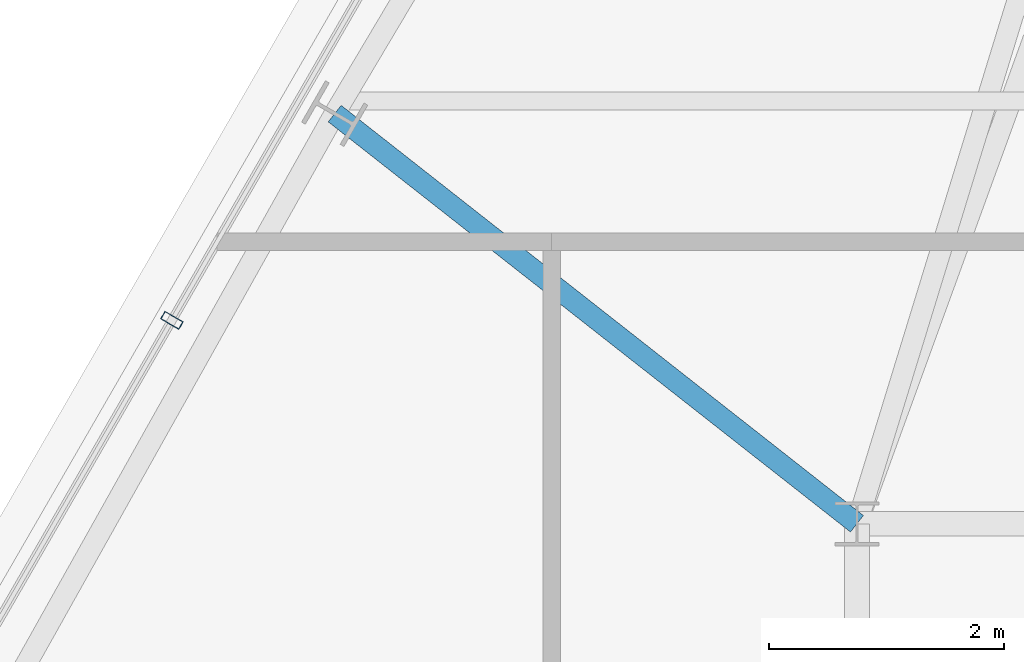
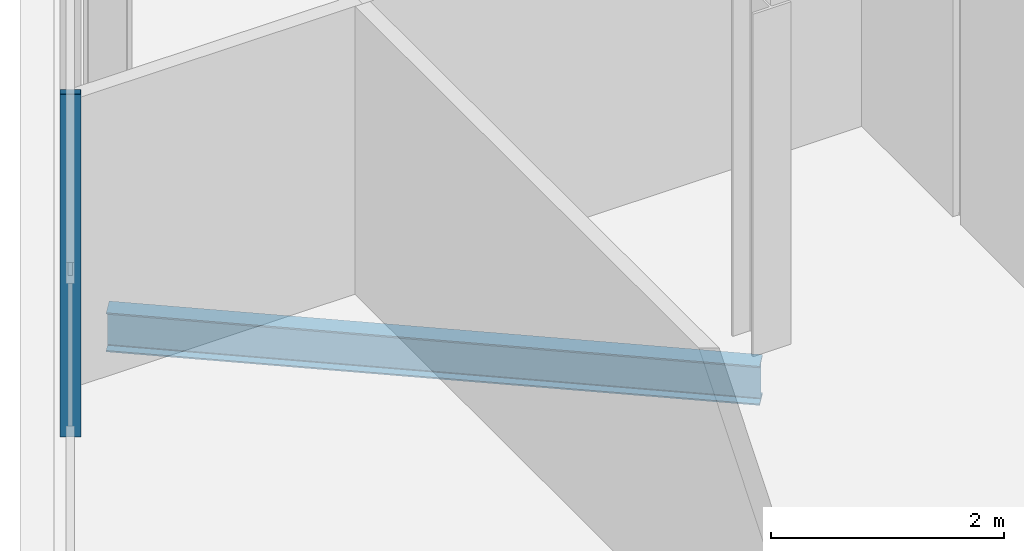
# One storey, part 13 of 35: 1 beam, 1 member, 1 element without a shape of its own.
"""IFC4 building model written with IfcOpenShell, lengths in metres."""

from ifc_helpers import new_model, si_unit, direction, frame, origin, origin_2d, place, context, subcontext, project, spatial, hollow_rectangle, i_section, extrude, material, layer, layer_set, material_profile, profile_set, type_object, element, aggregate, save


model = new_model("IFC4")

# Units and contexts
model_context = context("Model", 3, precision=1e-05, world=origin(), true_north=direction((0.0, 1.0)))
body_context = subcontext(model_context, "Body", "Model", "MODEL_VIEW")
ifc_project = project(units=[si_unit("LENGTHUNIT", "METRE"), si_unit("AREAUNIT", "SQUARE_METRE"), si_unit("VOLUMEUNIT", "CUBIC_METRE"), si_unit("PLANEANGLEUNIT", "RADIAN"), si_unit("MASSUNIT", "GRAM", prefix="KILO")], contexts=[model_context])

# Site, building, storey
site_placement = place(None, origin())
site = spatial("IfcSite", under=ifc_project, at=site_placement, CompositionType="ELEMENT")
building_placement = place(site_placement, origin())
building = spatial("IfcBuilding", under=site, at=building_placement, Name="Ndaravel Arena Tower", CompositionType="ELEMENT")
storey_placement = place(building_placement, frame((0.0, 0.0, 271.199951171875)))
storey = spatial("IfcBuildingStorey", under=building, at=storey_placement, Name="L66", CompositionType="ELEMENT", Elevation=271.199951171875)

# Beam
ifc_material_1 = material(Name="Steel S355", Category="steel")
ifc_material_profile_1 = material_profile(ifc_material_1, i_section(OverallWidth=0.1787109375, OverallDepth=0.409423828125, WebThickness=0.0087890625, FlangeThickness=0.014404296875, FilletRadius=0.01025390625, at=origin_2d()), Name="UB 406x178x67")
ifc_profile_set_1 = profile_set([ifc_material_profile_1], Name="Steel S355")
beam_type = type_object("IfcBeamType", Name="BM-GIRD-UB406", PredefinedType="BEAM", material=ifc_profile_set_1)
beam_placement = place(storey_placement, frame((29.752685546875, 26.69287109375, -0.424560546875), z_axis=(0.78643517724, -0.617672819541, 0.0), x_axis=(0.617672819541, 0.78643517724, 0.0)))
element("IfcBeam", 1, at=beam_placement, inside=storey, type_object=beam_type, Name="L66 Radial Floor Girder FG-19", PredefinedType="BEAM", context=body_context, shape_type="SweptSolid", body=[
    extrude(i_section(OverallWidth=0.1787109375, OverallDepth=0.409423828125, WebThickness=0.0087890625, FlangeThickness=0.014404296875, FilletRadius=0.01025390625, at=origin_2d()), origin(), (0.0, 0.0, 1.0), 5.655029296875),
])

# Curtain wall, member
ifc_material_2 = material(Name="Aluminium", Category="aluminium")
ifc_layer = layer(ifc_material_2, 0.179931640625)
ifc_layer_set = layer_set([ifc_layer], Name="Aluminium")
curtain_wall_type = type_object("IfcCurtainWallType", Name="CW-SYS-03", PredefinedType="NOTDEFINED", material=ifc_layer_set)
curtain_wall_placement = place(storey_placement, origin())
curtain_wall = element("IfcCurtainWall", 2, at=curtain_wall_placement, inside=storey, type_object=curtain_wall_type, Name="L66 Faceted Crystal Curtain Wall CW-L66-E05", PredefinedType="NOTDEFINED")
ifc_material_3 = material(Name="Aluminium", Category="aluminium")
ifc_material_profile_2 = material_profile(ifc_material_3, hollow_rectangle(XDim=0.074951171875, YDim=0.179931640625, WallThickness=0.00390625, at=origin_2d()), Name="CW MULLION 75x180x4")
ifc_profile_set_2 = profile_set([ifc_material_profile_2], Name="Aluminium")
member_type = type_object("IfcMemberType", Name="MEM-CW-MUL180", PredefinedType="MULLION", material=ifc_profile_set_2)
member_placement = place(storey_placement, frame((28.36669921875, 24.932373046875, 0.0), z_axis=(0.0, 0.0, 1.0), x_axis=(-0.5, -0.866025403784, 0.0)))
member = element("IfcMember", 3, at=member_placement, type_object=member_type, Name="CW-L66-E05 Mullion 05", PredefinedType="MULLION", context=body_context, shape_type="SweptSolid", body=[
    extrude(hollow_rectangle(XDim=0.074951171875, YDim=0.179931640625, WallThickness=0.00390625, at=origin_2d()), origin(), (0.0, 0.0, 1.0), 3.580078125),
])
aggregate(curtain_wall, [member])

save(model, "model.ifc")
